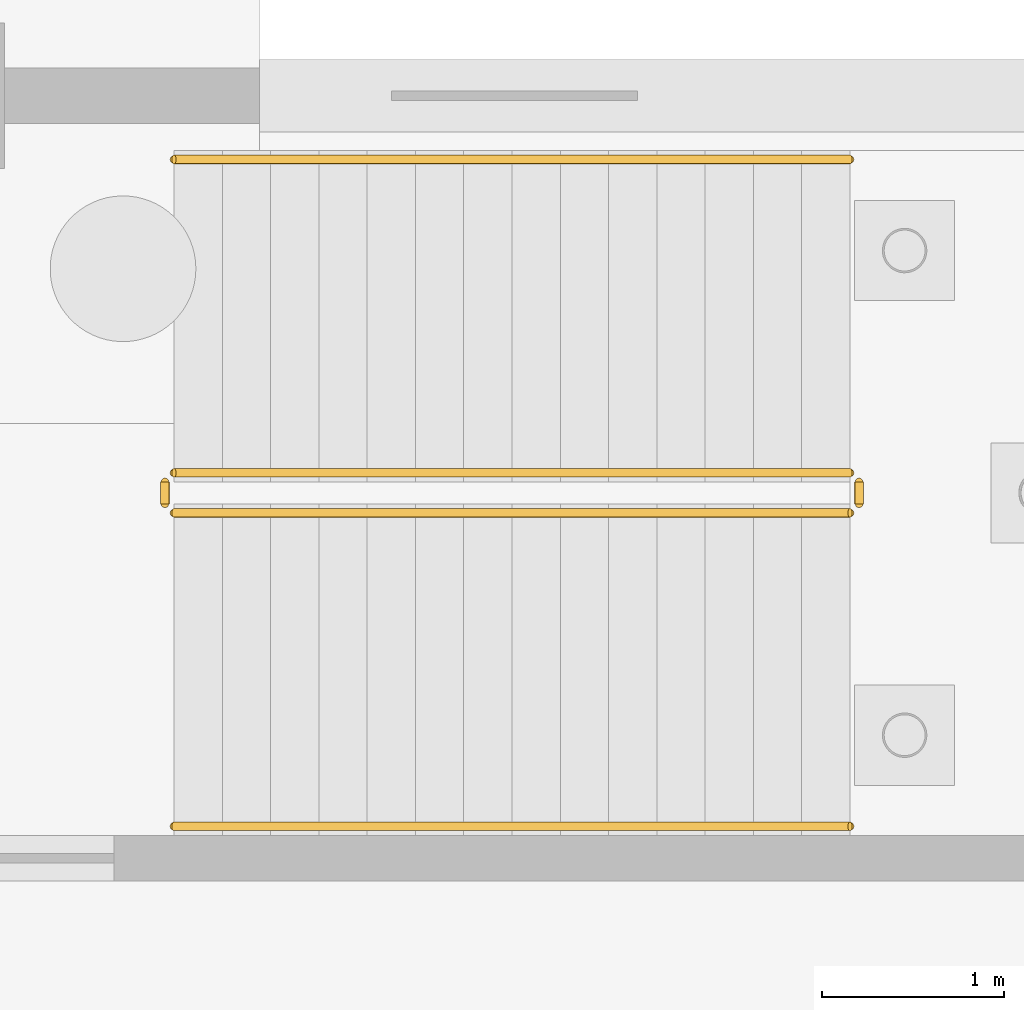
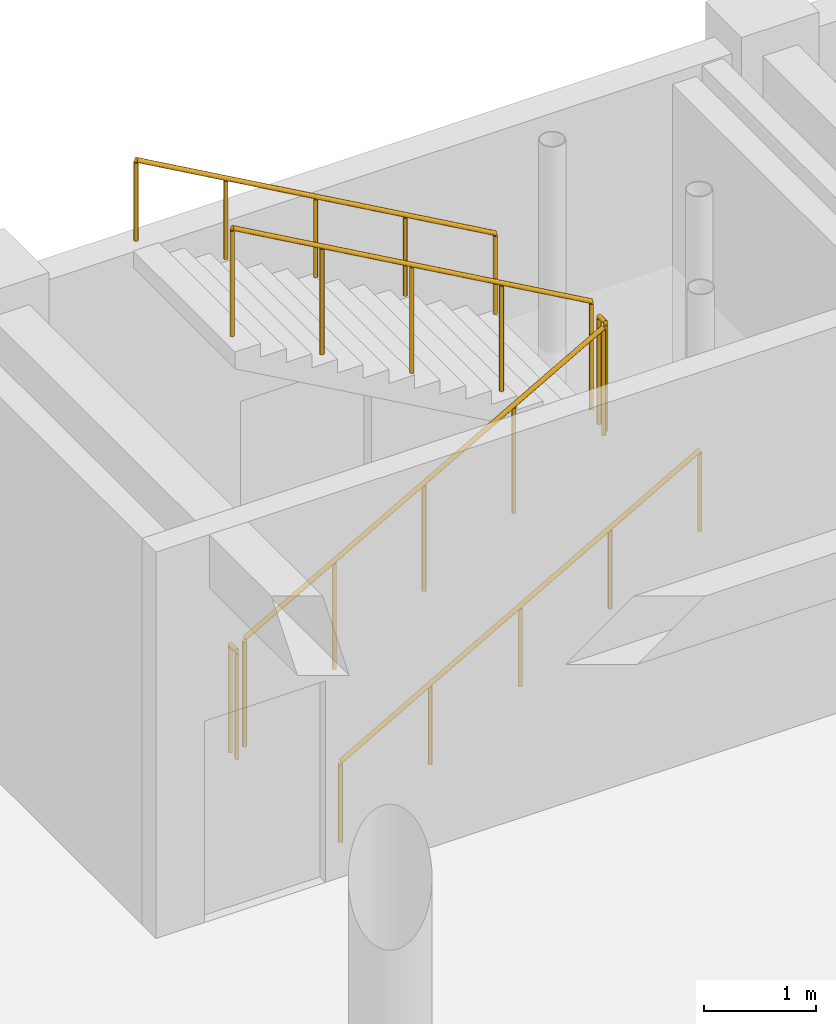
# One storey, part 165 of 166: 6 railings.
"""IFC4 building model written with IfcOpenShell, lengths in metres."""

from ifc_helpers import new_model, si_unit, direction, frame, origin, origin_2d, place, context, subcontext, project, spatial, circle, extrude, material, type_object, element, save


model = new_model("IFC4")

# Units and contexts
model_context = context("Model", 3, precision=1e-05, world=origin(), true_north=direction((0.0, 1.0)))
body_context = subcontext(model_context, "Body", "Model", "MODEL_VIEW")
ifc_project = project(units=[si_unit("LENGTHUNIT", "METRE"), si_unit("AREAUNIT", "SQUARE_METRE"), si_unit("VOLUMEUNIT", "CUBIC_METRE"), si_unit("PLANEANGLEUNIT", "RADIAN"), si_unit("MASSUNIT", "GRAM", prefix="KILO")], contexts=[model_context])

# Site, building, storey
site_placement = place(None, origin())
site = spatial("IfcSite", under=ifc_project, at=site_placement, CompositionType="ELEMENT")
building_placement = place(site_placement, origin())
building = spatial("IfcBuilding", under=site, at=building_placement, Name="Kharva Crest Polytechnic", CompositionType="ELEMENT")
storey_placement = place(building_placement, origin())
storey = spatial("IfcBuildingStorey", under=building, at=storey_placement, Name="L00", CompositionType="ELEMENT", Elevation=0.0)

# Railings
ifc_material_1 = material(Name="Anodised aluminium", Category="aluminium")
railing_type_1 = type_object("IfcRailingType", Name="RL-STAIR-GUARD-1200", PredefinedType="GUARDRAIL", material=ifc_material_1)
railing_1_placement = place(storey_placement, frame((146.1298828125, 119.7099609375, 0.14990234375)))
element("IfcRailing", 1, at=railing_1_placement, inside=storey, type_object=railing_type_1, Name="L00 ST-09 stair guard 1", PredefinedType="GUARDRAIL", context=body_context, shape_type="SweptSolid", body=[
    extrude(circle(Radius=0.02392578125, at=origin_2d()), frame((0.0, 0.0, 1.17578125), z_axis=(0.870258707807, 0.0, 0.492594946671), x_axis=(0.0, 1.0, 0.0)), (0.0, 0.0, 1.0), 4.263427734375),
    extrude(circle(Radius=0.02099609375, at=origin_2d()), origin(), (0.0, 0.0, 1.0), 1.15185546875),
    extrude(circle(Radius=0.02099609375, at=origin_2d()), frame((0.927490234375, 0.0, 0.52490234375)), (0.0, 0.0, 1.0), 1.15185546875),
    extrude(circle(Radius=0.02099609375, at=origin_2d()), frame((1.85498046875, 0.0, 1.050048828125)), (0.0, 0.0, 1.0), 1.15185546875),
    extrude(circle(Radius=0.02099609375, at=origin_2d()), frame((2.78271484375, 0.0, 1.5751953125)), (0.0, 0.0, 1.0), 1.15185546875),
    extrude(circle(Radius=0.02099609375, at=origin_2d()), frame((3.710205078125, 0.0, 2.10009765625)), (0.0, 0.0, 1.0), 1.15185546875),
])
railing_2_placement = place(storey_placement, frame((149.889892578125, 119.760009765625, 2.25)))
element("IfcRailing", 2, at=railing_2_placement, inside=storey, type_object=railing_type_1, Name="L00 ST-09 stair guard 2", PredefinedType="GUARDRAIL", context=body_context, shape_type="SweptSolid", body=[
    extrude(circle(Radius=0.02392578125, at=origin_2d()), frame((0.0, 0.0, 1.17578125), z_axis=(0.0, 1.0, 0.0), x_axis=(-1.0, 0.0, 0.0)), (0.0, 0.0, 1.0), 0.119873046875),
    extrude(circle(Radius=0.02099609375, at=origin_2d()), origin(), (0.0, 0.0, 1.0), 1.15185546875),
    extrude(circle(Radius=0.02099609375, at=origin_2d()), frame((0.0, 0.119873046875, 0.0)), (0.0, 0.0, 1.0), 1.15185546875),
])
railing_3_placement = place(storey_placement, frame((149.840087890625, 119.929931640625, 2.39990234375)))
element("IfcRailing", 3, at=railing_3_placement, inside=storey, type_object=railing_type_1, Name="L00 ST-09 stair guard 3", PredefinedType="GUARDRAIL", context=body_context, shape_type="SweptSolid", body=[
    extrude(circle(Radius=0.02392578125, at=origin_2d()), frame((0.0, 0.0, 1.17578125), z_axis=(-0.870258707807, 0.0, 0.492594946671), x_axis=(0.0, -1.0, 0.0)), (0.0, 0.0, 1.0), 4.263427734375),
    extrude(circle(Radius=0.02099609375, at=origin_2d()), origin(), (0.0, 0.0, 1.0), 1.15185546875),
    extrude(circle(Radius=0.02099609375, at=origin_2d()), frame((-0.927490234375, 0.0, 0.52490234375)), (0.0, 0.0, 1.0), 1.15185546875),
    extrude(circle(Radius=0.02099609375, at=origin_2d()), frame((-1.85498046875, 0.0, 1.050048828125)), (0.0, 0.0, 1.0), 1.15185546875),
    extrude(circle(Radius=0.02099609375, at=origin_2d()), frame((-2.78271484375, 0.0, 1.5751953125)), (0.0, 0.0, 1.0), 1.15185546875),
    extrude(circle(Radius=0.02099609375, at=origin_2d()), frame((-3.710205078125, 0.0, 2.10009765625)), (0.0, 0.0, 1.0), 1.15185546875),
])
railing_4_placement = place(storey_placement, frame((146.080078125, 119.760009765625, 0.0)))
element("IfcRailing", 4, at=railing_4_placement, inside=storey, type_object=railing_type_1, Name="L00 ST-09 stair guard 4", PredefinedType="GUARDRAIL", context=body_context, shape_type="SweptSolid", body=[
    extrude(circle(Radius=0.02392578125, at=origin_2d()), frame((0.0, 0.0, 1.17578125), z_axis=(0.0, 1.0, 0.0), x_axis=(-1.0, 0.0, 0.0)), (0.0, 0.0, 1.0), 0.119873046875),
    extrude(circle(Radius=0.02099609375, at=origin_2d()), origin(), (0.0, 0.0, 1.0), 1.15185546875),
    extrude(circle(Radius=0.02099609375, at=origin_2d()), frame((0.0, 0.119873046875, 0.0)), (0.0, 0.0, 1.0), 1.15185546875),
])
ifc_material_2 = material(Name="Teak timber", Category="wood")
railing_type_2 = type_object("IfcRailingType", Name="RL-STAIR-HAND-900", PredefinedType="HANDRAIL", material=ifc_material_2)
railing_5_placement = place(storey_placement, frame((146.1298828125, 117.989990234375, 0.14990234375)))
element("IfcRailing", 5, at=railing_5_placement, inside=storey, type_object=railing_type_2, Name="L00 ST-09 stair handrail 1", PredefinedType="HANDRAIL", context=body_context, shape_type="SweptSolid", body=[
    extrude(circle(Radius=0.02392578125, at=origin_2d()), frame((0.0, 0.0, 0.8759765625), z_axis=(0.870258707807, 0.0, 0.492594946671), x_axis=(0.0, 1.0, 0.0)), (0.0, 0.0, 1.0), 4.263427734375),
    extrude(circle(Radius=0.02099609375, at=origin_2d()), origin(), (0.0, 0.0, 1.0), 0.851806640625),
    extrude(circle(Radius=0.02099609375, at=origin_2d()), frame((0.927490234375, 0.0, 0.52490234375)), (0.0, 0.0, 1.0), 0.851806640625),
    extrude(circle(Radius=0.02099609375, at=origin_2d()), frame((1.85498046875, 0.0, 1.050048828125)), (0.0, 0.0, 1.0), 0.851806640625),
    extrude(circle(Radius=0.02099609375, at=origin_2d()), frame((2.78271484375, 0.0, 1.5751953125)), (0.0, 0.0, 1.0), 0.851806640625),
    extrude(circle(Radius=0.02099609375, at=origin_2d()), frame((3.710205078125, 0.0, 2.10009765625)), (0.0, 0.0, 1.0), 0.851806640625),
])
railing_6_placement = place(storey_placement, frame((149.840087890625, 121.64990234375, 2.39990234375)))
element("IfcRailing", 6, at=railing_6_placement, inside=storey, type_object=railing_type_2, Name="L00 ST-09 stair handrail 2", PredefinedType="HANDRAIL", context=body_context, shape_type="SweptSolid", body=[
    extrude(circle(Radius=0.02392578125, at=origin_2d()), frame((0.0, 0.0, 0.8759765625), z_axis=(-0.870258707807, 0.0, 0.492594946671), x_axis=(0.0, -1.0, 0.0)), (0.0, 0.0, 1.0), 4.263427734375),
    extrude(circle(Radius=0.02099609375, at=origin_2d()), origin(), (0.0, 0.0, 1.0), 0.851806640625),
    extrude(circle(Radius=0.02099609375, at=origin_2d()), frame((-0.927490234375, 0.0, 0.52490234375)), (0.0, 0.0, 1.0), 0.851806640625),
    extrude(circle(Radius=0.02099609375, at=origin_2d()), frame((-1.85498046875, 0.0, 1.050048828125)), (0.0, 0.0, 1.0), 0.851806640625),
    extrude(circle(Radius=0.02099609375, at=origin_2d()), frame((-2.78271484375, 0.0, 1.5751953125)), (0.0, 0.0, 1.0), 0.851806640625),
    extrude(circle(Radius=0.02099609375, at=origin_2d()), frame((-3.710205078125, 0.0, 2.10009765625)), (0.0, 0.0, 1.0), 0.851806640625),
])

save(model, "model.ifc")
